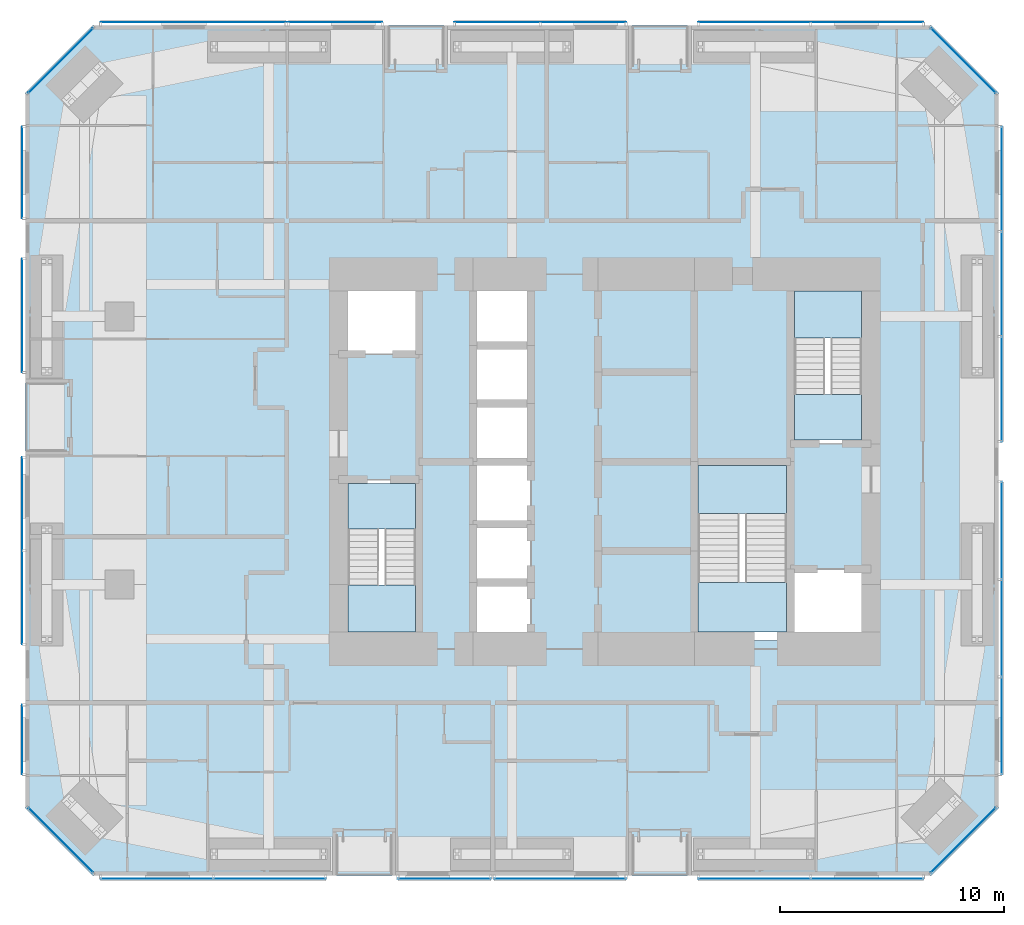
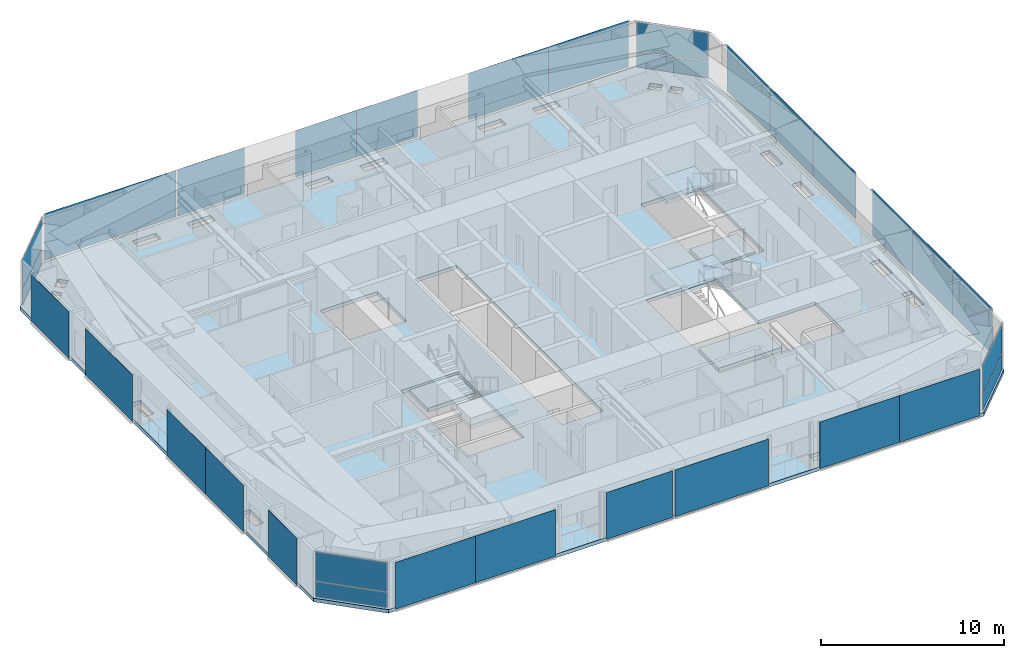
# One storey, part 16 of 24: 31 plates, 7 slabs, 21 elements without a shape of their own.
"""IFC4 building model written with IfcOpenShell, lengths in metres."""

from ifc_helpers import new_model, si_unit, direction, frame, origin, origin_2d, place, context, subcontext, project, spatial, polyline, rectangle, outline, extrude, material, layer, layer_set, type_object, element, aggregate, save


model = new_model("IFC4")

# Units and contexts
model_context = context("Model", 3, precision=1e-05, world=origin(), true_north=direction((0.0, 1.0)))
body_context = subcontext(model_context, "Body", "Model", "MODEL_VIEW")
ifc_project = project(units=[si_unit("LENGTHUNIT", "METRE"), si_unit("AREAUNIT", "SQUARE_METRE"), si_unit("VOLUMEUNIT", "CUBIC_METRE"), si_unit("PLANEANGLEUNIT", "RADIAN"), si_unit("MASSUNIT", "GRAM", prefix="KILO")], contexts=[model_context])

# Site, building, storey
site_placement = place(None, origin())
site = spatial("IfcSite", under=ifc_project, at=site_placement, CompositionType="ELEMENT")
building_placement = place(site_placement, origin())
building = spatial("IfcBuilding", under=site, at=building_placement, Name="Jalousie Tower", CompositionType="ELEMENT")
storey_placement = place(building_placement, frame((0.0, 0.0, 128.300048828125)))
storey = spatial("IfcBuildingStorey", under=building, at=storey_placement, Name="L35", CompositionType="ELEMENT", Elevation=128.300048828125)

# Curtain wall, plates
ifc_material_1 = material(Name="Aluminium curtain wall", Category="aluminium")
curtain_wall_type_1 = type_object("IfcCurtainWallType", Name="CORNER WINDOW WALL", PredefinedType="USERDEFINED", material=ifc_material_1)
curtain_wall_1_placement = place(storey_placement, origin())
curtain_wall_1 = element("IfcCurtainWall", 1, at=curtain_wall_1_placement, inside=storey, type_object=curtain_wall_type_1, Name="Corner Window Wall L35 2", ObjectType="CORNER WINDOW WALL", PredefinedType="USERDEFINED")
ifc_material_2 = material(Name="Laminated impact-rated spandrel glass", Category="glass")
ifc_layer_1 = layer(ifc_material_2, 0.028076171875)
ifc_layer_set_1 = layer_set([ifc_layer_1], Name="Laminated impact-rated spandrel glass")
plate_type_1 = type_object("IfcPlateType", Name="CORNER WINDOW WALL PANEL", PredefinedType="CURTAIN_PANEL", material=ifc_layer_set_1)
plate_1_placement = place(storey_placement, frame((47.9306640625, 1.5693359375, 0.06005859375), z_axis=(0.0, 0.0, 1.0), x_axis=(0.707106781187, 0.707106781187, 0.0)))
plate_1 = element("IfcPlate", 2, at=plate_1_placement, type_object=plate_type_1, Name="CW-C panel 1.1", PredefinedType="CURTAIN_PANEL", context=body_context, shape_type="SweptSolid", body=[
    extrude(rectangle(XDim=4.071533203125, YDim=0.028076171875, at=origin_2d()), origin(), (0.0, 0.0, 1.0), 1.010009765625),
])
plate_2_placement = place(storey_placement, frame((47.9306640625, 1.5693359375, 1.1298828125), z_axis=(0.0, 0.0, 1.0), x_axis=(0.707106781187, 0.707106781187, 0.0)))
plate_2 = element("IfcPlate", 3, at=plate_2_placement, type_object=plate_type_1, Name="CW-C panel 1.2", PredefinedType="CURTAIN_PANEL", context=body_context, shape_type="SweptSolid", body=[
    extrude(rectangle(XDim=4.071533203125, YDim=0.028076171875, at=origin_2d()), origin(), (0.0, 0.0, 1.0), 1.919921875),
])
aggregate(curtain_wall_1, [plate_1, plate_2])

curtain_wall_2_placement = place(storey_placement, origin())
curtain_wall_2 = element("IfcCurtainWall", 4, at=curtain_wall_2_placement, inside=storey, type_object=curtain_wall_type_1, Name="Corner Window Wall L35 4", ObjectType="CORNER WINDOW WALL", PredefinedType="USERDEFINED")
plate_3_placement = place(storey_placement, frame((47.9306640625, 36.4306640625, 0.06005859375), z_axis=(0.0, 0.0, 1.0), x_axis=(-0.707106781187, 0.707106781187, 0.0)))
plate_3 = element("IfcPlate", 5, at=plate_3_placement, type_object=plate_type_1, Name="CW-C panel 1.1", PredefinedType="CURTAIN_PANEL", context=body_context, shape_type="SweptSolid", body=[
    extrude(rectangle(XDim=4.071533203125, YDim=0.028076171875, at=origin_2d()), origin(), (0.0, 0.0, 1.0), 1.010009765625),
])
plate_4_placement = place(storey_placement, frame((47.9306640625, 36.4306640625, 1.1298828125), z_axis=(0.0, 0.0, 1.0), x_axis=(-0.707106781187, 0.707106781187, 0.0)))
plate_4 = element("IfcPlate", 6, at=plate_4_placement, type_object=plate_type_1, Name="CW-C panel 1.2", PredefinedType="CURTAIN_PANEL", context=body_context, shape_type="SweptSolid", body=[
    extrude(rectangle(XDim=4.071533203125, YDim=0.028076171875, at=origin_2d()), origin(), (0.0, 0.0, 1.0), 1.919921875),
])
aggregate(curtain_wall_2, [plate_3, plate_4])

curtain_wall_3_placement = place(storey_placement, origin())
curtain_wall_3 = element("IfcCurtainWall", 7, at=curtain_wall_3_placement, inside=storey, type_object=curtain_wall_type_1, Name="Corner Window Wall L35 6", ObjectType="CORNER WINDOW WALL", PredefinedType="USERDEFINED")
plate_5_placement = place(storey_placement, frame((7.5693359375, 36.4306640625, 0.06005859375), z_axis=(0.0, 0.0, 1.0), x_axis=(-0.707106781187, -0.707106781187, 0.0)))
plate_5 = element("IfcPlate", 8, at=plate_5_placement, type_object=plate_type_1, Name="CW-C panel 1.1", PredefinedType="CURTAIN_PANEL", context=body_context, shape_type="SweptSolid", body=[
    extrude(rectangle(XDim=4.071533203125, YDim=0.028076171875, at=origin_2d()), origin(), (0.0, 0.0, 1.0), 1.010009765625),
])
plate_6_placement = place(storey_placement, frame((7.5693359375, 36.4306640625, 1.1298828125), z_axis=(0.0, 0.0, 1.0), x_axis=(-0.707106781187, -0.707106781187, 0.0)))
plate_6 = element("IfcPlate", 9, at=plate_6_placement, type_object=plate_type_1, Name="CW-C panel 1.2", PredefinedType="CURTAIN_PANEL", context=body_context, shape_type="SweptSolid", body=[
    extrude(rectangle(XDim=4.071533203125, YDim=0.028076171875, at=origin_2d()), origin(), (0.0, 0.0, 1.0), 1.919921875),
])
aggregate(curtain_wall_3, [plate_5, plate_6])

curtain_wall_4_placement = place(storey_placement, origin())
curtain_wall_4 = element("IfcCurtainWall", 10, at=curtain_wall_4_placement, inside=storey, type_object=curtain_wall_type_1, Name="Corner Window Wall L35 8", ObjectType="CORNER WINDOW WALL", PredefinedType="USERDEFINED")
plate_7_placement = place(storey_placement, frame((7.5693359375, 1.5693359375, 0.06005859375), z_axis=(0.0, 0.0, 1.0), x_axis=(0.707106781187, -0.707106781187, 0.0)))
plate_7 = element("IfcPlate", 11, at=plate_7_placement, type_object=plate_type_1, Name="CW-C panel 1.1", PredefinedType="CURTAIN_PANEL", context=body_context, shape_type="SweptSolid", body=[
    extrude(rectangle(XDim=4.071533203125, YDim=0.028076171875, at=origin_2d()), origin(), (0.0, 0.0, 1.0), 1.010009765625),
])
plate_8_placement = place(storey_placement, frame((7.5693359375, 1.5693359375, 1.1298828125), z_axis=(0.0, 0.0, 1.0), x_axis=(0.707106781187, -0.707106781187, 0.0)))
plate_8 = element("IfcPlate", 12, at=plate_8_placement, type_object=plate_type_1, Name="CW-C panel 1.2", PredefinedType="CURTAIN_PANEL", context=body_context, shape_type="SweptSolid", body=[
    extrude(rectangle(XDim=4.071533203125, YDim=0.028076171875, at=origin_2d()), origin(), (0.0, 0.0, 1.0), 1.919921875),
])
aggregate(curtain_wall_4, [plate_7, plate_8])

# Slab
ifc_material_3 = material(Name="Concrete f'c 40 MPa", Category="concrete")
ifc_layer_2 = layer(ifc_material_3, 0.239990234375)
ifc_layer_set_2 = layer_set([ifc_layer_2], Name="Concrete f'c 40 MPa")
slab_type_1 = type_object("IfcSlabType", Name="FLOOR SLAB 240", PredefinedType="FLOOR", material=ifc_layer_set_2)
slab_1_placement = place(storey_placement, frame((0.0, 0.0, -0.239990234375)))
element("IfcSlab", 13, at=slab_1_placement, inside=storey, type_object=slab_type_1, Name="L35 floor slab", PredefinedType="FLOOR", context=body_context, shape_type="SweptSolid", body=[
    extrude(outline(polyline([(9.0, 0.0), (46.5, 0.0), (49.5, 3.0), (49.5, 35.0), (46.5, 38.0), (9.0, 38.0), (6.0, 35.0), (6.0, 3.0), (9.0, 0.0)]), holes=[polyline([(14.425048828125, 1.236083984375), (14.484619140625, 1.236083984375), (15.888916015625, 1.236083984375), (15.888916015625, 0.663818359375), (14.484619140625, 0.663818359375), (14.425048828125, 0.663818359375), (14.425048828125, 1.236083984375)]), polyline([(26.763916015625, 1.236083984375), (26.763916015625, 0.663818359375), (25.359619140625, 0.663818359375), (25.300048828125, 0.663818359375), (25.300048828125, 1.236083984375), (25.359619140625, 1.236083984375), (26.763916015625, 1.236083984375)]), polyline([(17.861083984375, 1.236083984375), (19.265380859375, 1.236083984375), (19.324951171875, 1.236083984375), (19.324951171875, 0.663818359375), (19.265380859375, 0.663818359375), (17.861083984375, 0.663818359375), (17.861083984375, 1.236083984375)]), polyline([(9.505615234375, 2.162109375), (9.235595703125, 1.89208984375), (9.1005859375, 1.75732421875), (8.604736328125, 2.25341796875), (9.009521484375, 2.658203125), (9.505615234375, 2.162109375), (9.505615234375, 2.162109375)]), polyline([(8.162109375, 3.505615234375), (8.162109375, 3.505615234375), (8.162109375, 3.505615234375), (8.2119140625, 3.455810546875), (8.27294921875, 3.39453125), (8.27294921875, 3.39453125), (8.658203125, 3.009521484375), (8.25341796875, 2.604736328125), (7.75732421875, 3.1005859375), (7.75732421875, 3.1005859375), (7.75732421875, 3.1005859375), (7.919189453125, 3.2626953125), (8.162109375, 3.505615234375)]), polyline([(7.236083984375, 10.550048828125), (6.663818359375, 10.550048828125), (6.663818359375, 10.609619140625), (6.663818359375, 12.013916015625), (7.236083984375, 12.013916015625), (7.236083984375, 10.609619140625), (7.236083984375, 10.550048828125)]), polyline([(26.0, 10.5), (26.0, 26.5), (28.60009765625, 26.5), (28.60009765625, 10.5), (26.0, 10.5)]), polyline([(20.0, 10.5), (23.60009765625, 10.5), (23.60009765625, 17.699951171875), (20.0, 17.699951171875), (20.0, 10.5)]), polyline([(7.236083984375, 15.390380859375), (7.236083984375, 13.986083984375), (6.663818359375, 13.986083984375), (6.663818359375, 15.390380859375), (6.663818359375, 15.449951171875), (7.236083984375, 15.449951171875), (7.236083984375, 15.390380859375)]), polyline([(6.663818359375, 24.013916015625), (7.236083984375, 24.013916015625), (7.236083984375, 22.609619140625), (7.236083984375, 22.550048828125), (6.663818359375, 22.550048828125), (6.663818359375, 22.609619140625), (6.663818359375, 24.013916015625)]), polyline([(20.0, 23.300048828125), (23.60009765625, 23.300048828125), (23.60009765625, 26.5), (20.0, 26.5), (20.0, 23.300048828125)]), polyline([(7.236083984375, 25.986083984375), (6.663818359375, 25.986083984375), (6.663818359375, 27.390380859375), (6.663818359375, 27.449951171875), (7.236083984375, 27.449951171875), (7.236083984375, 27.390380859375), (7.236083984375, 25.986083984375)]), polyline([(7.75732421875, 34.8994140625), (7.75732421875, 34.8994140625), (7.75732421875, 34.8994140625), (7.868408203125, 35.01025390625), (7.868408203125, 35.01025390625), (8.25341796875, 35.395263671875), (8.658203125, 34.990478515625), (8.27294921875, 34.60546875), (8.27294921875, 34.60546875), (8.162109375, 34.494384765625), (7.948974609375, 34.70751953125), (7.75732421875, 34.8994140625)]), polyline([(8.604736328125, 35.74658203125), (9.1005859375, 36.24267578125), (9.505615234375, 35.837890625), (9.39453125, 35.72705078125), (9.009521484375, 35.341796875), (8.604736328125, 35.74658203125)]), polyline([(26.763916015625, 36.763916015625), (25.359619140625, 36.763916015625), (25.300048828125, 36.763916015625), (25.300048828125, 37.336181640625), (25.359619140625, 37.336181640625), (26.763916015625, 37.336181640625), (26.763916015625, 36.763916015625)]), polyline([(19.324951171875, 37.336181640625), (19.324951171875, 36.763916015625), (19.265380859375, 36.763916015625), (17.861083984375, 36.763916015625), (17.861083984375, 37.336181640625), (19.265380859375, 37.336181640625), (19.324951171875, 37.336181640625)]), polyline([(14.425048828125, 36.763916015625), (14.425048828125, 37.336181640625), (14.484619140625, 37.336181640625), (15.888916015625, 37.336181640625), (15.888916015625, 36.763916015625), (14.484619140625, 36.763916015625), (14.425048828125, 36.763916015625)]), polyline([(28.736083984375, 0.663818359375), (28.736083984375, 1.236083984375), (30.140380859375, 1.236083984375), (30.199951171875, 1.236083984375), (30.199951171875, 0.663818359375), (30.140380859375, 0.663818359375), (28.736083984375, 0.663818359375)]), polyline([(36.234619140625, 0.663818359375), (36.175048828125, 0.663818359375), (36.175048828125, 1.236083984375), (36.234619140625, 1.236083984375), (37.638916015625, 1.236083984375), (37.638916015625, 0.663818359375), (36.234619140625, 0.663818359375)]), polyline([(41.015380859375, 1.236083984375), (41.074951171875, 1.236083984375), (41.074951171875, 0.663818359375), (41.015380859375, 0.663818359375), (39.611083984375, 0.663818359375), (39.611083984375, 1.236083984375), (41.015380859375, 1.236083984375)]), polyline([(46.51025390625, 1.868408203125), (46.51025390625, 1.868408203125), (46.3994140625, 1.75732421875), (46.3994140625, 1.75732421875), (46.3994140625, 1.75732421875), (46.199951171875, 1.95654296875), (45.994384765625, 2.162109375), (46.10546875, 2.27294921875), (46.10546875, 2.27294921875), (46.490478515625, 2.658203125), (46.895263671875, 2.25341796875), (46.51025390625, 1.868408203125)]), polyline([(47.22705078125, 3.39453125), (47.22705078125, 3.39453125), (47.337890625, 3.505615234375), (47.337890625, 3.505615234375), (47.337890625, 3.505615234375), (47.540283203125, 3.302978515625), (47.74267578125, 3.1005859375), (47.631591796875, 2.98974609375), (47.631591796875, 2.98974609375), (47.24658203125, 2.604736328125), (46.841796875, 3.009521484375), (47.22705078125, 3.39453125)]), polyline([(48.836181640625, 10.550048828125), (48.263916015625, 10.550048828125), (48.263916015625, 10.609619140625), (48.263916015625, 12.013916015625), (48.836181640625, 12.013916015625), (48.836181640625, 10.609619140625), (48.836181640625, 10.550048828125)]), polyline([(35.89990234375, 18.5), (40.199951171875, 18.5), (40.199951171875, 13.699951171875), (43.800048828125, 13.699951171875), (43.800048828125, 10.5), (35.89990234375, 10.5), (35.89990234375, 18.5)]), polyline([(48.836181640625, 13.986083984375), (48.263916015625, 13.986083984375), (48.263916015625, 15.390380859375), (48.263916015625, 15.449951171875), (48.836181640625, 15.449951171875), (48.836181640625, 15.390380859375), (48.836181640625, 13.986083984375)]), polyline([(40.199951171875, 19.300048828125), (43.800048828125, 19.300048828125), (43.800048828125, 26.5), (40.199951171875, 26.5), (40.199951171875, 19.300048828125)]), polyline([(48.836181640625, 22.550048828125), (48.263916015625, 22.550048828125), (48.263916015625, 22.609619140625), (48.263916015625, 24.013916015625), (48.836181640625, 24.013916015625), (48.836181640625, 22.609619140625), (48.836181640625, 22.550048828125)]), polyline([(48.836181640625, 27.390380859375), (48.836181640625, 25.986083984375), (48.263916015625, 25.986083984375), (48.263916015625, 27.390380859375), (48.263916015625, 27.449951171875), (48.836181640625, 27.449951171875), (48.836181640625, 27.390380859375)]), polyline([(47.631591796875, 35.01025390625), (47.74267578125, 34.8994140625), (47.74267578125, 34.8994140625), (47.540283203125, 34.697021484375), (47.337890625, 34.494384765625), (47.22705078125, 34.60546875), (47.22705078125, 34.60546875), (46.841796875, 34.990478515625), (47.24658203125, 35.395263671875), (47.631591796875, 35.01025390625)]), polyline([(46.3994140625, 36.24267578125), (46.3994140625, 36.24267578125), (46.51025390625, 36.131591796875), (46.895263671875, 35.74658203125), (46.490478515625, 35.341796875), (46.10546875, 35.72705078125), (46.10546875, 35.72705078125), (45.994384765625, 35.837890625), (46.197021484375, 36.040283203125), (46.3994140625, 36.24267578125)]), polyline([(41.015380859375, 37.336181640625), (41.074951171875, 37.336181640625), (41.074951171875, 36.763916015625), (41.015380859375, 36.763916015625), (39.611083984375, 36.763916015625), (39.611083984375, 37.336181640625), (41.015380859375, 37.336181640625)]), polyline([(37.638916015625, 37.336181640625), (37.638916015625, 36.763916015625), (36.234619140625, 36.763916015625), (36.175048828125, 36.763916015625), (36.175048828125, 37.336181640625), (36.234619140625, 37.336181640625), (37.638916015625, 37.336181640625)]), polyline([(28.736083984375, 37.336181640625), (30.140380859375, 37.336181640625), (30.199951171875, 37.336181640625), (30.199951171875, 36.763916015625), (30.140380859375, 36.763916015625), (28.736083984375, 36.763916015625), (28.736083984375, 37.336181640625)])]), origin(), (0.0, 0.0, 1.0), 0.239990234375),
])

# Curtain wall, plates
ifc_material_4 = material(Name="Perforated aluminium sheet", Category="aluminium")
curtain_wall_type_2 = type_object("IfcCurtainWallType", Name="SOLAR SCREEN SS-1", PredefinedType="USERDEFINED", material=ifc_material_4)
curtain_wall_5_placement = place(storey_placement, origin())
curtain_wall_5 = element("IfcCurtainWall", 14, at=curtain_wall_5_placement, inside=storey, type_object=curtain_wall_type_2, Name="Solar screen L35", ObjectType="SOLAR SCREEN SS-1", PredefinedType="USERDEFINED")
ifc_material_5 = material(Name="Perforated aluminium sheet", Category="aluminium")
ifc_layer_3 = layer(ifc_material_5, 0.006103515625)
ifc_layer_set_3 = layer_set([ifc_layer_3], Name="Perforated aluminium sheet")
plate_type_2 = type_object("IfcPlateType", Name="SOLAR SCREEN SS-1 PANEL", PredefinedType="CURTAIN_PANEL", material=ifc_layer_set_3)
plate_9_placement = place(storey_placement, frame((11.86962890625, -0.150390625, 0.0), z_axis=(0.0, 0.0, 1.0), x_axis=(1.0, 0.0, 0.0)))
plate_9 = element("IfcPlate", 15, at=plate_9_placement, type_object=plate_type_2, Name="SS1 perforated panel 1", PredefinedType="CURTAIN_PANEL", context=body_context, shape_type="SweptSolid", body=[
    extrude(rectangle(XDim=5.036865234375, YDim=0.006103515625, at=origin_2d()), origin(), (0.0, 0.0, 1.0), 3.110107421875),
])
plate_10_placement = place(storey_placement, frame((16.906494140625, -0.150390625, 0.0), z_axis=(0.0, 0.0, 1.0), x_axis=(1.0, 0.0, 0.0)))
plate_10 = element("IfcPlate", 16, at=plate_10_placement, type_object=plate_type_2, Name="SS1 perforated panel 2", PredefinedType="CURTAIN_PANEL", context=body_context, shape_type="SweptSolid", body=[
    extrude(rectangle(XDim=5.036865234375, YDim=0.006103515625, at=origin_2d()), origin(), (0.0, 0.0, 1.0), 3.110107421875),
])
aggregate(curtain_wall_5, [plate_9, plate_10])

# Curtain wall, plate
curtain_wall_6_placement = place(storey_placement, origin())
curtain_wall_6 = element("IfcCurtainWall", 17, at=curtain_wall_6_placement, inside=storey, type_object=curtain_wall_type_2, Name="Solar screen L35", ObjectType="SOLAR SCREEN SS-1", PredefinedType="USERDEFINED")
plate_11_placement = place(storey_placement, frame((24.72509765625, -0.150390625, 0.0), z_axis=(0.0, 0.0, 1.0), x_axis=(1.0, 0.0, 0.0)))
plate_11 = element("IfcPlate", 18, at=plate_11_placement, type_object=plate_type_2, Name="SS1 perforated panel 1", PredefinedType="CURTAIN_PANEL", context=body_context, shape_type="SweptSolid", body=[
    extrude(rectangle(XDim=4.14990234375, YDim=0.006103515625, at=origin_2d()), origin(), (0.0, 0.0, 1.0), 3.110107421875),
])
aggregate(curtain_wall_6, [plate_11])

curtain_wall_7_placement = place(storey_placement, origin())
curtain_wall_7 = element("IfcCurtainWall", 19, at=curtain_wall_7_placement, inside=storey, type_object=curtain_wall_type_2, Name="Solar screen L35", ObjectType="SOLAR SCREEN SS-1", PredefinedType="USERDEFINED")
plate_12_placement = place(storey_placement, frame((29.89990234375, -0.150390625, 0.0), z_axis=(0.0, 0.0, 1.0), x_axis=(1.0, 0.0, 0.0)))
plate_12 = element("IfcPlate", 20, at=plate_12_placement, type_object=plate_type_2, Name="SS1 perforated panel 1", PredefinedType="CURTAIN_PANEL", context=body_context, shape_type="SweptSolid", body=[
    extrude(rectangle(XDim=5.89990234375, YDim=0.006103515625, at=origin_2d()), origin(), (0.0, 0.0, 1.0), 3.110107421875),
])
aggregate(curtain_wall_7, [plate_12])

# Curtain wall, plates
curtain_wall_8_placement = place(storey_placement, origin())
curtain_wall_8 = element("IfcCurtainWall", 21, at=curtain_wall_8_placement, inside=storey, type_object=curtain_wall_type_2, Name="Solar screen L35", ObjectType="SOLAR SCREEN SS-1", PredefinedType="USERDEFINED")
plate_13_placement = place(storey_placement, frame((38.593505859375, -0.150390625, 0.0), z_axis=(0.0, 0.0, 1.0), x_axis=(1.0, 0.0, 0.0)))
plate_13 = element("IfcPlate", 22, at=plate_13_placement, type_object=plate_type_2, Name="SS1 perforated panel 1", PredefinedType="CURTAIN_PANEL", context=body_context, shape_type="SweptSolid", body=[
    extrude(rectangle(XDim=5.036865234375, YDim=0.006103515625, at=origin_2d()), origin(), (0.0, 0.0, 1.0), 3.110107421875),
])
plate_14_placement = place(storey_placement, frame((43.63037109375, -0.150390625, 0.0), z_axis=(0.0, 0.0, 1.0), x_axis=(1.0, 0.0, 0.0)))
plate_14 = element("IfcPlate", 23, at=plate_14_placement, type_object=plate_type_2, Name="SS1 perforated panel 2", PredefinedType="CURTAIN_PANEL", context=body_context, shape_type="SweptSolid", body=[
    extrude(rectangle(XDim=5.036865234375, YDim=0.006103515625, at=origin_2d()), origin(), (0.0, 0.0, 1.0), 3.110107421875),
])
aggregate(curtain_wall_8, [plate_13, plate_14])

curtain_wall_9_placement = place(storey_placement, origin())
curtain_wall_9 = element("IfcCurtainWall", 24, at=curtain_wall_9_placement, inside=storey, type_object=curtain_wall_type_2, Name="Solar screen L35", ObjectType="SOLAR SCREEN SS-1", PredefinedType="USERDEFINED")
plate_15_placement = place(storey_placement, frame((49.650390625, 6.69482421875, 0.0), z_axis=(0.0, 0.0, 1.0), x_axis=(0.0, 1.0, 0.0)))
plate_15 = element("IfcPlate", 25, at=plate_15_placement, type_object=plate_type_2, Name="SS1 perforated panel 1", PredefinedType="CURTAIN_PANEL", context=body_context, shape_type="SweptSolid", body=[
    extrude(rectangle(XDim=4.362060546875, YDim=0.006103515625, at=origin_2d()), origin(), (0.0, 0.0, 1.0), 3.110107421875),
])
plate_16_placement = place(storey_placement, frame((49.650390625, 11.056884765625, 0.0), z_axis=(0.0, 0.0, 1.0), x_axis=(0.0, 1.0, 0.0)))
plate_16 = element("IfcPlate", 26, at=plate_16_placement, type_object=plate_type_2, Name="SS1 perforated panel 2", PredefinedType="CURTAIN_PANEL", context=body_context, shape_type="SweptSolid", body=[
    extrude(rectangle(XDim=4.362060546875, YDim=0.006103515625, at=origin_2d()), origin(), (0.0, 0.0, 1.0), 3.110107421875),
])
plate_17_placement = place(storey_placement, frame((49.650390625, 15.4189453125, 0.0), z_axis=(0.0, 0.0, 1.0), x_axis=(0.0, 1.0, 0.0)))
plate_17 = element("IfcPlate", 27, at=plate_17_placement, type_object=plate_type_2, Name="SS1 perforated panel 3", PredefinedType="CURTAIN_PANEL", context=body_context, shape_type="SweptSolid", body=[
    extrude(rectangle(XDim=4.362060546875, YDim=0.006103515625, at=origin_2d()), origin(), (0.0, 0.0, 1.0), 3.110107421875),
])
aggregate(curtain_wall_9, [plate_15, plate_16, plate_17])

curtain_wall_10_placement = place(storey_placement, origin())
curtain_wall_10 = element("IfcCurtainWall", 28, at=curtain_wall_10_placement, inside=storey, type_object=curtain_wall_type_2, Name="Solar screen L35", ObjectType="SOLAR SCREEN SS-1", PredefinedType="USERDEFINED")
plate_18_placement = place(storey_placement, frame((49.650390625, 21.747802734375, 0.0), z_axis=(0.0, 0.0, 1.0), x_axis=(0.0, 1.0, 0.0)))
plate_18 = element("IfcPlate", 29, at=plate_18_placement, type_object=plate_type_2, Name="SS1 perforated panel 1", PredefinedType="CURTAIN_PANEL", context=body_context, shape_type="SweptSolid", body=[
    extrude(rectangle(XDim=4.6953125, YDim=0.006103515625, at=origin_2d()), origin(), (0.0, 0.0, 1.0), 3.110107421875),
])
plate_19_placement = place(storey_placement, frame((49.650390625, 26.443115234375, 0.0), z_axis=(0.0, 0.0, 1.0), x_axis=(0.0, 1.0, 0.0)))
plate_19 = element("IfcPlate", 30, at=plate_19_placement, type_object=plate_type_2, Name="SS1 perforated panel 2", PredefinedType="CURTAIN_PANEL", context=body_context, shape_type="SweptSolid", body=[
    extrude(rectangle(XDim=4.6953125, YDim=0.006103515625, at=origin_2d()), origin(), (0.0, 0.0, 1.0), 3.110107421875),
])
plate_20_placement = place(storey_placement, frame((49.650390625, 31.138427734375, 0.0), z_axis=(0.0, 0.0, 1.0), x_axis=(0.0, 1.0, 0.0)))
plate_20 = element("IfcPlate", 31, at=plate_20_placement, type_object=plate_type_2, Name="SS1 perforated panel 3", PredefinedType="CURTAIN_PANEL", context=body_context, shape_type="SweptSolid", body=[
    extrude(rectangle(XDim=4.6953125, YDim=0.006103515625, at=origin_2d()), origin(), (0.0, 0.0, 1.0), 3.110107421875),
])
aggregate(curtain_wall_10, [plate_18, plate_19, plate_20])

curtain_wall_11_placement = place(storey_placement, origin())
curtain_wall_11 = element("IfcCurtainWall", 32, at=curtain_wall_11_placement, inside=storey, type_object=curtain_wall_type_2, Name="Solar screen L35", ObjectType="SOLAR SCREEN SS-1", PredefinedType="USERDEFINED")
plate_21_placement = place(storey_placement, frame((43.63037109375, 38.150390625, 0.0), z_axis=(0.0, 0.0, 1.0), x_axis=(-1.0, 0.0, 0.0)))
plate_21 = element("IfcPlate", 33, at=plate_21_placement, type_object=plate_type_2, Name="SS1 perforated panel 1", PredefinedType="CURTAIN_PANEL", context=body_context, shape_type="SweptSolid", body=[
    extrude(rectangle(XDim=5.036865234375, YDim=0.006103515625, at=origin_2d()), origin(), (0.0, 0.0, 1.0), 3.110107421875),
])
plate_22_placement = place(storey_placement, frame((38.593505859375, 38.150390625, 0.0), z_axis=(0.0, 0.0, 1.0), x_axis=(-1.0, 0.0, 0.0)))
plate_22 = element("IfcPlate", 34, at=plate_22_placement, type_object=plate_type_2, Name="SS1 perforated panel 2", PredefinedType="CURTAIN_PANEL", context=body_context, shape_type="SweptSolid", body=[
    extrude(rectangle(XDim=5.036865234375, YDim=0.006103515625, at=origin_2d()), origin(), (0.0, 0.0, 1.0), 3.110107421875),
])
aggregate(curtain_wall_11, [plate_21, plate_22])

curtain_wall_12_placement = place(storey_placement, origin())
curtain_wall_12 = element("IfcCurtainWall", 35, at=curtain_wall_12_placement, inside=storey, type_object=curtain_wall_type_2, Name="Solar screen L35", ObjectType="SOLAR SCREEN SS-1", PredefinedType="USERDEFINED")
plate_23_placement = place(storey_placement, frame((30.931396484375, 38.150390625, 0.0), z_axis=(0.0, 0.0, 1.0), x_axis=(-1.0, 0.0, 0.0)))
plate_23 = element("IfcPlate", 36, at=plate_23_placement, type_object=plate_type_2, Name="SS1 perforated panel 1", PredefinedType="CURTAIN_PANEL", context=body_context, shape_type="SweptSolid", body=[
    extrude(rectangle(XDim=3.83740234375, YDim=0.006103515625, at=origin_2d()), origin(), (0.0, 0.0, 1.0), 3.110107421875),
])
plate_24_placement = place(storey_placement, frame((27.09375, 38.150390625, 0.0), z_axis=(0.0, 0.0, 1.0), x_axis=(-1.0, 0.0, 0.0)))
plate_24 = element("IfcPlate", 37, at=plate_24_placement, type_object=plate_type_2, Name="SS1 perforated panel 2", PredefinedType="CURTAIN_PANEL", context=body_context, shape_type="SweptSolid", body=[
    extrude(rectangle(XDim=3.83740234375, YDim=0.006103515625, at=origin_2d()), origin(), (0.0, 0.0, 1.0), 3.110107421875),
])
aggregate(curtain_wall_12, [plate_23, plate_24])

# Curtain wall, plate
curtain_wall_13_placement = place(storey_placement, origin())
curtain_wall_13 = element("IfcCurtainWall", 38, at=curtain_wall_13_placement, inside=storey, type_object=curtain_wall_type_2, Name="Solar screen L35", ObjectType="SOLAR SCREEN SS-1", PredefinedType="USERDEFINED")
plate_25_placement = place(storey_placement, frame((19.85009765625, 38.150390625, 0.0), z_axis=(0.0, 0.0, 1.0), x_axis=(-1.0, 0.0, 0.0)))
plate_25 = element("IfcPlate", 39, at=plate_25_placement, type_object=plate_type_2, Name="SS1 perforated panel 1", PredefinedType="CURTAIN_PANEL", context=body_context, shape_type="SweptSolid", body=[
    extrude(rectangle(XDim=4.199951171875, YDim=0.006103515625, at=origin_2d()), origin(), (0.0, 0.0, 1.0), 3.110107421875),
])
aggregate(curtain_wall_13, [plate_25])

curtain_wall_14_placement = place(storey_placement, origin())
curtain_wall_14 = element("IfcCurtainWall", 40, at=curtain_wall_14_placement, inside=storey, type_object=curtain_wall_type_2, Name="Solar screen L35", ObjectType="SOLAR SCREEN SS-1", PredefinedType="USERDEFINED")
plate_26_placement = place(storey_placement, frame((13.500732421875, 38.150390625, 0.0), z_axis=(0.0, 0.0, 1.0), x_axis=(-1.0, 0.0, 0.0)))
plate_26 = element("IfcPlate", 41, at=plate_26_placement, type_object=plate_type_2, Name="SS1 perforated panel 1", PredefinedType="CURTAIN_PANEL", context=body_context, shape_type="SweptSolid", body=[
    extrude(rectangle(XDim=8.298583984375, YDim=0.006103515625, at=origin_2d()), origin(), (0.0, 0.0, 1.0), 3.110107421875),
])
aggregate(curtain_wall_14, [plate_26])

curtain_wall_15_placement = place(storey_placement, origin())
curtain_wall_15 = element("IfcCurtainWall", 42, at=curtain_wall_15_placement, inside=storey, type_object=curtain_wall_type_2, Name="Solar screen L35", ObjectType="SOLAR SCREEN SS-1", PredefinedType="USERDEFINED")
plate_27_placement = place(storey_placement, frame((5.849609375, 31.4306640625, 0.0), z_axis=(0.0, 0.0, 1.0), x_axis=(0.0, -1.0, 0.0)))
plate_27 = element("IfcPlate", 43, at=plate_27_placement, type_object=plate_type_2, Name="SS1 perforated panel 1", PredefinedType="CURTAIN_PANEL", context=body_context, shape_type="SweptSolid", body=[
    extrude(rectangle(XDim=4.111083984375, YDim=0.006103515625, at=origin_2d()), origin(), (0.0, 0.0, 1.0), 3.110107421875),
])
aggregate(curtain_wall_15, [plate_27])

curtain_wall_16_placement = place(storey_placement, origin())
curtain_wall_16 = element("IfcCurtainWall", 44, at=curtain_wall_16_placement, inside=storey, type_object=curtain_wall_type_2, Name="Solar screen L35", ObjectType="SOLAR SCREEN SS-1", PredefinedType="USERDEFINED")
plate_28_placement = place(storey_placement, frame((5.849609375, 25.03125, 0.0), z_axis=(0.0, 0.0, 1.0), x_axis=(0.0, -1.0, 0.0)))
plate_28 = element("IfcPlate", 45, at=plate_28_placement, type_object=plate_type_2, Name="SS1 perforated panel 1", PredefinedType="CURTAIN_PANEL", context=body_context, shape_type="SweptSolid", body=[
    extrude(rectangle(XDim=5.08740234375, YDim=0.006103515625, at=origin_2d()), origin(), (0.0, 0.0, 1.0), 3.110107421875),
])
aggregate(curtain_wall_16, [plate_28])

# Curtain wall, plates
curtain_wall_17_placement = place(storey_placement, origin())
curtain_wall_17 = element("IfcCurtainWall", 46, at=curtain_wall_17_placement, inside=storey, type_object=curtain_wall_type_2, Name="Solar screen L35", ObjectType="SOLAR SCREEN SS-1", PredefinedType="USERDEFINED")
plate_29_placement = place(storey_placement, frame((5.849609375, 16.610107421875, 0.0), z_axis=(0.0, 0.0, 1.0), x_axis=(0.0, -1.0, 0.0)))
plate_29 = element("IfcPlate", 47, at=plate_29_placement, type_object=plate_type_2, Name="SS1 perforated panel 1", PredefinedType="CURTAIN_PANEL", context=body_context, shape_type="SweptSolid", body=[
    extrude(rectangle(XDim=4.1796875, YDim=0.006103515625, at=origin_2d()), origin(), (0.0, 0.0, 1.0), 3.110107421875),
])
plate_30_placement = place(storey_placement, frame((5.849609375, 12.430419921875, 0.0), z_axis=(0.0, 0.0, 1.0), x_axis=(0.0, -1.0, 0.0)))
plate_30 = element("IfcPlate", 48, at=plate_30_placement, type_object=plate_type_2, Name="SS1 perforated panel 2", PredefinedType="CURTAIN_PANEL", context=body_context, shape_type="SweptSolid", body=[
    extrude(rectangle(XDim=4.1796875, YDim=0.006103515625, at=origin_2d()), origin(), (0.0, 0.0, 1.0), 3.110107421875),
])
aggregate(curtain_wall_17, [plate_29, plate_30])

# Curtain wall, plate
curtain_wall_18_placement = place(storey_placement, origin())
curtain_wall_18 = element("IfcCurtainWall", 49, at=curtain_wall_18_placement, inside=storey, type_object=curtain_wall_type_2, Name="Solar screen L35", ObjectType="SOLAR SCREEN SS-1", PredefinedType="USERDEFINED")
plate_31_placement = place(storey_placement, frame((5.849609375, 6.0693359375, 0.0), z_axis=(0.0, 0.0, 1.0), x_axis=(0.0, -1.0, 0.0)))
plate_31 = element("IfcPlate", 50, at=plate_31_placement, type_object=plate_type_2, Name="SS1 perforated panel 1", PredefinedType="CURTAIN_PANEL", context=body_context, shape_type="SweptSolid", body=[
    extrude(rectangle(XDim=3.111083984375, YDim=0.006103515625, at=origin_2d()), origin(), (0.0, 0.0, 1.0), 3.110107421875),
])
aggregate(curtain_wall_18, [plate_31])

# Stair, slabs
ifc_material_6 = material(Name="Concrete f'c 40 MPa", Category="concrete")
stair_type = type_object("IfcStairType", Name="EXIT STAIR", PredefinedType="HALF_TURN_STAIR", material=ifc_material_6)
stair_1_placement = place(storey_placement, origin())
stair_1 = element("IfcStair", 51, at=stair_1_placement, inside=storey, type_object=stair_type, Name="Exit stair A L35", PredefinedType="HALF_TURN_STAIR")
ifc_material_7 = material(Name="Concrete f'c 40 MPa", Category="concrete")
ifc_layer_4 = layer(ifc_material_7, 0.25)
ifc_layer_set_4 = layer_set([ifc_layer_4], Name="Concrete f'c 40 MPa")
slab_type_2 = type_object("IfcSlabType", Name="STAIR LANDING 250", PredefinedType="LANDING", material=ifc_layer_set_4)
slab_2_placement = place(storey_placement, frame((0.0, 0.0, -0.25)))
slab_2 = element("IfcSlab", 52, at=slab_2_placement, type_object=slab_type_2, Name="ST-A landing 1", PredefinedType="LANDING", context=body_context, shape_type="SweptSolid", body=[
    extrude(outline(polyline([(20.425048828125, 15.49755859375), (23.425048828125, 15.49755859375), (23.425048828125, 17.52490234375), (20.425048828125, 17.52490234375), (20.425048828125, 15.49755859375)])), origin(), (0.0, 0.0, 1.0), 0.25),
])
slab_3_placement = place(storey_placement, frame((0.0, 0.0, 1.425048828125)))
slab_3 = element("IfcSlab", 53, at=slab_3_placement, type_object=slab_type_2, Name="ST-A landing 2", PredefinedType="LANDING", context=body_context, shape_type="SweptSolid", body=[
    extrude(outline(polyline([(20.425048828125, 10.875), (23.425048828125, 10.875), (23.425048828125, 12.9775390625), (20.425048828125, 12.9775390625), (20.425048828125, 10.875)])), origin(), (0.0, 0.0, 1.0), 0.25),
])
aggregate(stair_1, [slab_2, slab_3])

stair_2_placement = place(storey_placement, origin())
stair_2 = element("IfcStair", 54, at=stair_2_placement, inside=storey, type_object=stair_type, Name="Exit stair B L35", PredefinedType="HALF_TURN_STAIR")
slab_4_placement = place(storey_placement, frame((0.0, 0.0, -0.25)))
slab_4 = element("IfcSlab", 55, at=slab_4_placement, type_object=slab_type_2, Name="ST-B landing 1", PredefinedType="LANDING", context=body_context, shape_type="SweptSolid", body=[
    extrude(outline(polyline([(40.375, 19.47509765625), (43.375, 19.47509765625), (43.375, 21.50244140625), (40.375, 21.50244140625), (40.375, 19.47509765625)])), origin(), (0.0, 0.0, 1.0), 0.25),
])
slab_5_placement = place(storey_placement, frame((0.0, 0.0, 1.425048828125)))
slab_5 = element("IfcSlab", 56, at=slab_5_placement, type_object=slab_type_2, Name="ST-B landing 2", PredefinedType="LANDING", context=body_context, shape_type="SweptSolid", body=[
    extrude(outline(polyline([(40.375, 24.0224609375), (43.375, 24.0224609375), (43.375, 26.125), (40.375, 26.125), (40.375, 24.0224609375)])), origin(), (0.0, 0.0, 1.0), 0.25),
])
aggregate(stair_2, [slab_4, slab_5])

stair_3_placement = place(storey_placement, origin())
stair_3 = element("IfcStair", 57, at=stair_3_placement, inside=storey, type_object=stair_type, Name="Exit stair C L35", PredefinedType="HALF_TURN_STAIR")
slab_6_placement = place(storey_placement, frame((0.0, 0.0, -0.25)))
slab_6 = element("IfcSlab", 58, at=slab_6_placement, type_object=slab_type_2, Name="ST-C landing 1", PredefinedType="LANDING", context=body_context, shape_type="SweptSolid", body=[
    extrude(outline(polyline([(36.074951171875, 10.875), (40.02490234375, 10.875), (40.02490234375, 13.097412109375), (36.074951171875, 13.097412109375), (36.074951171875, 10.875)])), origin(), (0.0, 0.0, 1.0), 0.25),
])
slab_7_placement = place(storey_placement, frame((0.0, 0.0, 1.425048828125)))
slab_7 = element("IfcSlab", 59, at=slab_7_placement, type_object=slab_type_2, Name="ST-C landing 2", PredefinedType="LANDING", context=body_context, shape_type="SweptSolid", body=[
    extrude(outline(polyline([(36.074951171875, 16.177490234375), (40.02490234375, 16.177490234375), (40.02490234375, 18.324951171875), (36.074951171875, 18.324951171875), (36.074951171875, 16.177490234375)])), origin(), (0.0, 0.0, 1.0), 0.25),
])
aggregate(stair_3, [slab_6, slab_7])

save(model, "model.ifc")
